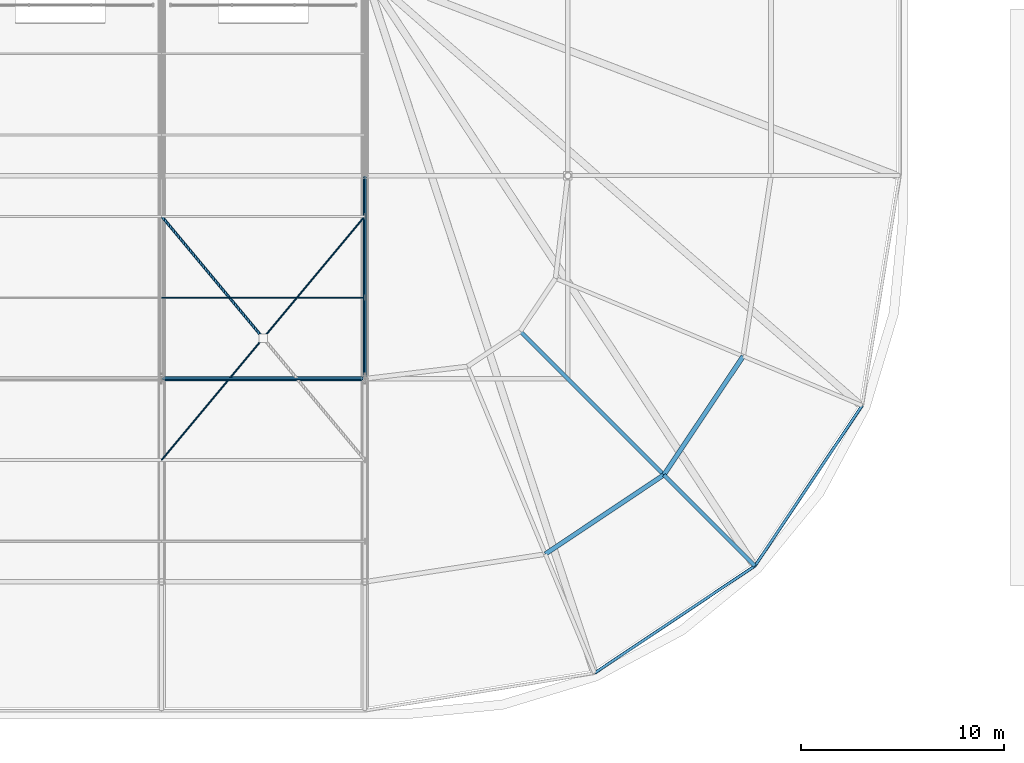
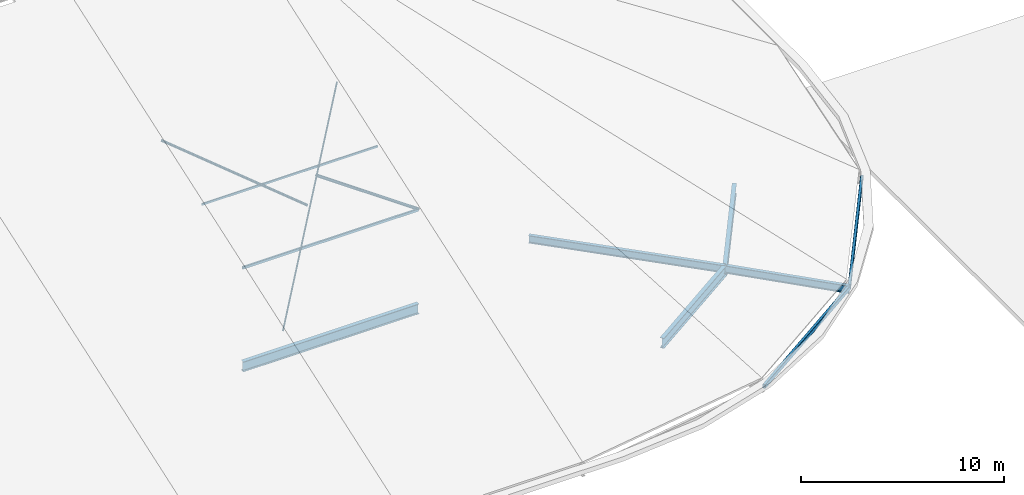
# One storey, part 61 of 93: 7 beams, 5 members.
"""IFC4 building model written with IfcOpenShell, lengths in metres."""

from ifc_helpers import new_model, si_unit, derived_unit, direction, frame, origin, origin_2d_with_axis, place, context, subcontext, project, spatial, hollow_rectangle, hollow_circle, i_section, extrude, material, material_profile, profile_set, type_object, element, save


model = new_model("IFC4")

# Units and contexts
model_context = context("Model", 3, precision=1e-05, world=origin(), true_north=direction((0.0, 1.0)))
body_context = subcontext(model_context, "Body", "Model", "MODEL_VIEW")
ifc_project = project(units=[si_unit("LENGTHUNIT", "METRE"), si_unit("AREAUNIT", "SQUARE_METRE"), si_unit("VOLUMEUNIT", "CUBIC_METRE"), si_unit("PLANEANGLEUNIT", "RADIAN"), si_unit("MASSUNIT", "GRAM", prefix="KILO"), derived_unit("THERMALTRANSMITTANCEUNIT", [(si_unit("POWERUNIT", "WATT"), 1), (si_unit("LENGTHUNIT", "METRE"), -2), (si_unit("THERMODYNAMICTEMPERATUREUNIT", "KELVIN"), -1)])], contexts=[model_context])

# Site, building, storey
site_placement = place(None, origin())
site = spatial("IfcSite", under=ifc_project, at=site_placement, CompositionType="ELEMENT")
building_placement = place(site_placement, origin())
building = spatial("IfcBuilding", under=site, at=building_placement, Name="Cinnabar Yard Market Hall", CompositionType="ELEMENT")
storey_placement = place(building_placement, frame((0.0, 0.0, 23.800048828125)))
storey = spatial("IfcBuildingStorey", under=building, at=storey_placement, Name="ROOF", CompositionType="ELEMENT", Elevation=23.800048828125)

# Beams
ifc_material_1 = material(Name="Steel Grade 350 (350 MPa)", Category="steel")
ifc_material_profile_1 = material_profile(ifc_material_1, i_section(OverallWidth=0.22900390625, OverallDepth=0.611572265625, WebThickness=0.011962890625, FlangeThickness=0.01953125, FilletRadius=0.013916015625, at=origin_2d_with_axis()), Name="610UB125")
ifc_profile_set_1 = profile_set([ifc_material_profile_1], Name="Steel Grade 350 (350 MPa)")
beam_type_1 = type_object("IfcBeamType", Name="BM-B01E", PredefinedType="BEAM", material=ifc_profile_set_1)
for number, where, z_axis, x_axis, name in (
    (1, (154.88818359375, 15.3701171875, -9.705810546875), (0.831456201368, 0.555590303377, 0.0), (-0.555590303377, 0.831456201368, 0.0), "Outer Corner Ring SE 00470"),
    (2, (160.727783203125, 19.272216796875, -9.705810546875), (0.555590303377, 0.831456201368, 0.0), (-0.831456201368, 0.555590303377, 0.0), "Outer Corner Ring SE 00473"),
):
    element("IfcBeam", number, at=place(storey_placement, frame(where, z_axis=z_axis, x_axis=x_axis)), inside=storey, type_object=beam_type_1, Name=name, PredefinedType="BEAM", context=body_context, shape_type="SweptSolid", body=[
        extrude(i_section(OverallWidth=0.22900390625, OverallDepth=0.611572265625, WebThickness=0.011962890625, FlangeThickness=0.01953125, FilletRadius=0.013916015625, at=origin_2d_with_axis()), origin(), (0.0, 0.0, 1.0), 7.0234375),
    ])
ifc_material_2 = material(Name="Steel Grade 300 (300 MPa)", Category="steel")
ifc_material_profile_2 = material_profile(ifc_material_2, i_section(OverallWidth=0.22802734375, OverallDepth=0.60205078125, WebThickness=0.010498046875, FlangeThickness=0.014892578125, FilletRadius=0.013916015625, at=origin_2d_with_axis()), Name="610UB101")
ifc_profile_set_2 = profile_set([ifc_material_profile_2], Name="Steel Grade 300 (300 MPa)")
beam_type_2 = type_object("IfcBeamType", Name="BM-B02", PredefinedType="BEAM", material=ifc_profile_set_2)
beam_1_placement = place(storey_placement, frame((136.0, 24.0, -9.700927734375), z_axis=(1.0, 0.0, 0.0), x_axis=(0.0, 1.0, 0.0)))
element("IfcBeam", 3, at=beam_1_placement, inside=storey, type_object=beam_type_2, Name="Hall Longitudinal Tie Girder 00378", PredefinedType="BEAM", context=body_context, shape_type="SweptSolid", body=[
    extrude(i_section(OverallWidth=0.22802734375, OverallDepth=0.60205078125, WebThickness=0.010498046875, FlangeThickness=0.014892578125, FilletRadius=0.013916015625, at=origin_2d_with_axis()), origin(), (0.0, 0.0, 1.0), 10.0),
])
ifc_material_profile_3 = material_profile(ifc_material_2, i_section(OverallWidth=0.19091796875, OverallDepth=0.46044921875, WebThickness=0.010009765625, FlangeThickness=0.01611328125, FilletRadius=0.011474609375, at=origin_2d_with_axis()), Name="460UB82.1")
ifc_profile_set_3 = profile_set([ifc_material_profile_3], Name="Steel Grade 300 (300 MPa)")
beam_type_3 = type_object("IfcBeamType", Name="BM-B04", PredefinedType="BEAM", material=ifc_profile_set_3)
beam_2_placement = place(storey_placement, frame((153.656982421875, 26.343017578125, -9.630126953125), z_axis=(0.707106781187, -0.707106781187, 0.0), x_axis=(0.707106781187, 0.707106781187, 0.0)))
element("IfcBeam", 4, at=beam_2_placement, inside=storey, type_object=beam_type_3, Name="Corner Backspan Girder SE-4 00480", PredefinedType="BEAM", context=body_context, shape_type="SweptSolid", body=[
    extrude(i_section(OverallWidth=0.19091796875, OverallDepth=0.46044921875, WebThickness=0.010009765625, FlangeThickness=0.01611328125, FilletRadius=0.011474609375, at=origin_2d_with_axis()), origin(), (0.0, 0.0, 1.0), 9.99951171875),
])
ifc_material_profile_4 = material_profile(ifc_material_2, i_section(OverallWidth=0.19091796875, OverallDepth=0.46044921875, WebThickness=0.010009765625, FlangeThickness=0.01611328125, FilletRadius=0.011474609375, at=origin_2d_with_axis()), Name="460UB82.1")
ifc_profile_set_4 = profile_set([ifc_material_profile_4], Name="Steel Grade 300 (300 MPa)")
beam_type_4 = type_object("IfcBeamType", Name="BM-RF02E", PredefinedType="BEAM", material=ifc_profile_set_4)
beam_3_placement = place(storey_placement, frame((160.727783203125, 19.272216796875, -9.630126953125), z_axis=(0.707050387112, -0.707050387112, -0.012629337634), x_axis=(0.707106781187, 0.707106781187, 0.0)))
element("IfcBeam", 5, at=beam_3_placement, inside=storey, type_object=beam_type_4, Name="Corner Chhajja Cantilever SE-4 00481", PredefinedType="BEAM", context=body_context, shape_type="SweptSolid", body=[
    extrude(i_section(OverallWidth=0.19091796875, OverallDepth=0.46044921875, WebThickness=0.010009765625, FlangeThickness=0.01611328125, FilletRadius=0.011474609375, at=origin_2d_with_axis()), origin(), (0.0, 0.0, 1.0), 6.340576171875),
])
ifc_material_3 = material(Name="Cold-formed steel C350L0", Category="steel")
ifc_material_profile_5 = material_profile(ifc_material_3, hollow_rectangle(XDim=0.14990234375, YDim=0.25, WallThickness=0.009033203125, InnerFilletRadius=0.009033203125, OuterFilletRadius=0.01806640625, at=origin_2d_with_axis()), Name="250x150x9.0RHS")
ifc_profile_set_5 = profile_set([ifc_material_profile_5], Name="Cold-formed steel C350L0")
beam_type_5 = type_object("IfcBeamType", Name="BM-SP01E", PredefinedType="SPANDREL", material=ifc_profile_set_5)
for number, where, z_axis, x_axis, name in (
    (6, (157.314453125, 9.5126953125, -9.60498046875), (0.831464504392, 0.555577877471, 0.0), (-0.555577877471, 0.831464504392, 0.0), "Eave Fascia Ring SE 00471"),
    (7, (165.2109375, 14.7890625, -9.60498046875), (0.555577877471, 0.831464504392, 0.0), (-0.831464504392, 0.555577877471, 0.0), "Eave Fascia Ring SE 00474"),
):
    element("IfcBeam", number, at=place(storey_placement, frame(where, z_axis=z_axis, x_axis=x_axis)), inside=storey, type_object=beam_type_5, Name=name, PredefinedType="SPANDREL", context=body_context, shape_type="SweptSolid", body=[
        extrude(hollow_rectangle(XDim=0.14990234375, YDim=0.25, WallThickness=0.009033203125, InnerFilletRadius=0.009033203125, OuterFilletRadius=0.01806640625, at=origin_2d_with_axis()), origin(), (0.0, 0.0, 1.0), 9.4970703125),
    ])

# Members
ifc_material_profile_6 = material_profile(ifc_material_3, hollow_circle(Radius=0.084228515625, WallThickness=0.00634765625, at=origin_2d_with_axis()), Name="168.3x6.4CHS")
ifc_profile_set_6 = profile_set([ifc_material_profile_6], Name="Cold-formed steel C350L0")
member_type_1 = type_object("IfcMemberType", Name="MB-DG02", PredefinedType="BRACE", material=ifc_profile_set_6)
member_1_placement = place(storey_placement, frame((146.0, 24.0, -3.76123046875), z_axis=(0.0, 0.927230348791, -0.374491495607), x_axis=(-1.0, 0.0, 0.0)))
element("IfcMember", 8, at=member_1_placement, inside=storey, type_object=member_type_1, Name="Hall Truss 146 Diagonal 2", PredefinedType="BRACE", context=body_context, shape_type="SweptSolid", body=[
    extrude(hollow_circle(Radius=0.084228515625, WallThickness=0.00634765625, at=origin_2d_with_axis()), origin(), (0.0, 0.0, 1.0), 10.784912109375),
])
ifc_material_profile_7 = material_profile(ifc_material_3, hollow_rectangle(XDim=0.10009765625, YDim=0.14990234375, WallThickness=0.0048828125, InnerFilletRadius=0.0048828125, OuterFilletRadius=0.010009765625, at=origin_2d_with_axis()), Name="150x100x5.0RHS")
ifc_profile_set_7 = profile_set([ifc_material_profile_7], Name="Cold-formed steel C350L0")
member_type_2 = type_object("IfcMemberType", Name="MB-PU03", PredefinedType="PURLIN", material=ifc_profile_set_7)
member_2_placement = place(storey_placement, frame((136.0, 24.0, -3.80126953125), z_axis=(1.0, 0.0, 0.0), x_axis=(0.0, 1.0, 0.0)))
element("IfcMember", 9, at=member_2_placement, inside=storey, type_object=member_type_2, Name="Hall Roof Purlin Y24 X136", PredefinedType="PURLIN", context=body_context, shape_type="SweptSolid", body=[
    extrude(hollow_rectangle(XDim=0.10009765625, YDim=0.14990234375, WallThickness=0.0048828125, InnerFilletRadius=0.0048828125, OuterFilletRadius=0.010009765625, at=origin_2d_with_axis()), origin(), (0.0, 0.0, 1.0), 10.0),
])
ifc_material_profile_8 = material_profile(ifc_material_3, hollow_rectangle(XDim=0.074951171875, YDim=0.125, WallThickness=0.0048828125, InnerFilletRadius=0.0048828125, OuterFilletRadius=0.010009765625, at=origin_2d_with_axis()), Name="125x75x5.0RHS")
ifc_profile_set_8 = profile_set([ifc_material_profile_8], Name="Cold-formed steel C350L0")
member_type_3 = type_object("IfcMemberType", Name="MB-PU04", PredefinedType="PURLIN", material=ifc_profile_set_8)
member_3_placement = place(storey_placement, frame((136.0, 28.0, -2.4091796875), z_axis=(1.0, 0.0, 0.0), x_axis=(0.0, 1.0, 0.0)))
element("IfcMember", 10, at=member_3_placement, inside=storey, type_object=member_type_3, Name="Hall Roof Purlin Y28 X136", PredefinedType="PURLIN", context=body_context, shape_type="SweptSolid", body=[
    extrude(hollow_rectangle(XDim=0.074951171875, YDim=0.125, WallThickness=0.0048828125, InnerFilletRadius=0.0048828125, OuterFilletRadius=0.010009765625, at=origin_2d_with_axis()), origin(), (0.0, 0.0, 1.0), 10.0),
])
ifc_material_profile_9 = material_profile(ifc_material_3, hollow_circle(Radius=0.06982421875, WallThickness=0.0048828125, at=origin_2d_with_axis()), Name="139.7x5.0CHS")
ifc_profile_set_9 = profile_set([ifc_material_profile_9], Name="Cold-formed steel C350L0")
member_type_4 = type_object("IfcMemberType", Name="MB-RB01", PredefinedType="BRACE", material=ifc_profile_set_9)
member_4_placement = place(storey_placement, frame((140.919921875, 26.095947265625, -3.03125), z_axis=(-0.618458458622, 0.742168564156, 0.258253668584), x_axis=(-0.768229091176, -0.640175025654, 0.0)))
element("IfcMember", 11, at=member_4_placement, inside=storey, type_object=member_type_4, Name="Roof Plan Split X-Brace 136-20B2", PredefinedType="BRACE", context=body_context, shape_type="SweptSolid", body=[
    extrude(hollow_circle(Radius=0.06982421875, WallThickness=0.0048828125, at=origin_2d_with_axis()), origin(), (0.0, 0.0, 1.0), 7.955078125),
])
ifc_material_profile_10 = material_profile(ifc_material_3, hollow_circle(Radius=0.04443359375, WallThickness=0.005615234375, at=origin_2d_with_axis()), Name="88.9x5.5CHS")
ifc_profile_set_10 = profile_set([ifc_material_profile_10], Name="Cold-formed steel C350L0")
member_type_5 = type_object("IfcMemberType", Name="MB-RB02", PredefinedType="BRACE", material=ifc_profile_set_10)
member_5_placement = place(storey_placement, frame((136.0, 20.0, -5.153564453125), z_axis=(0.618457094351, 0.742148513222, 0.258314550053), x_axis=(-0.768221279597, 0.640184399664, 0.0)))
element("IfcMember", 12, at=member_5_placement, inside=storey, type_object=member_type_5, Name="Roof Plan Continuous X-Brace 136-20A", PredefinedType="BRACE", context=body_context, shape_type="SweptSolid", body=[
    extrude(hollow_circle(Radius=0.04443359375, WallThickness=0.005615234375, at=origin_2d_with_axis()), origin(), (0.0, 0.0, 1.0), 16.169189453125),
])

save(model, "model.ifc")
